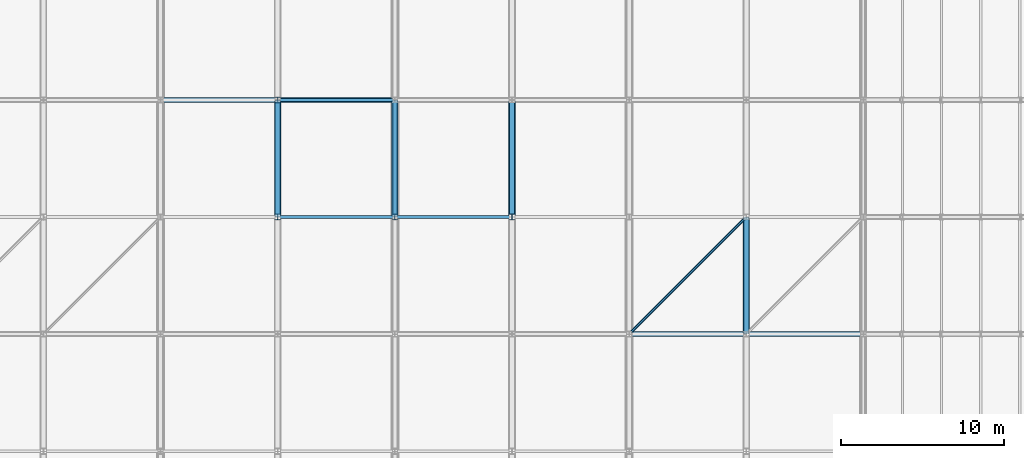
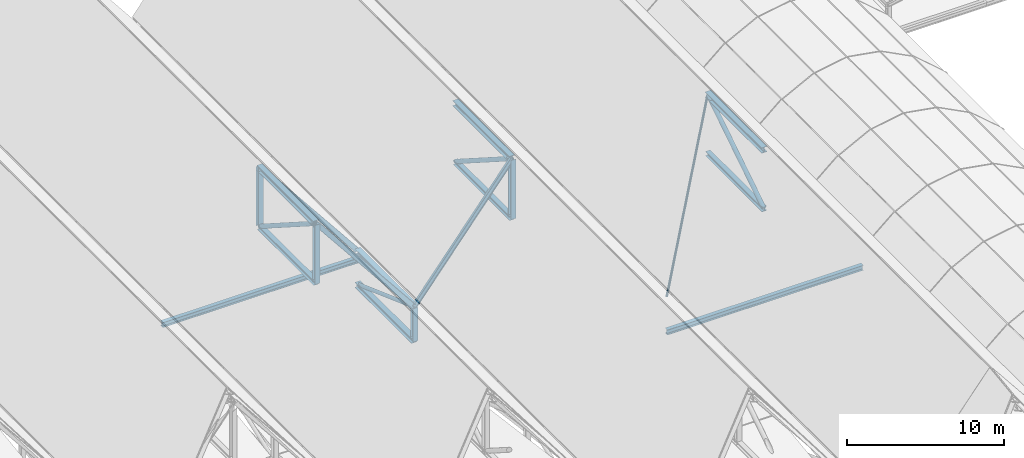
# One storey, part 19 of 60: 20 members, 2 beams.
"""IFC4 building model written with IfcOpenShell, lengths in metres."""

from ifc_helpers import new_model, si_unit, direction, frame, origin, origin_2d, place, context, subcontext, project, spatial, hollow_circle, i_section, extrude, material, material_profile, profile_set, type_object, element, save


model = new_model("IFC4")

# Units and contexts
model_context = context("Model", 3, precision=1e-05, world=origin(), true_north=direction((0.0, 1.0)))
body_context = subcontext(model_context, "Body", "Model", "MODEL_VIEW")
ifc_project = project(units=[si_unit("LENGTHUNIT", "METRE"), si_unit("AREAUNIT", "SQUARE_METRE"), si_unit("VOLUMEUNIT", "CUBIC_METRE"), si_unit("PLANEANGLEUNIT", "RADIAN"), si_unit("MASSUNIT", "GRAM", prefix="KILO")], contexts=[model_context])

# Site, building, storey
site_placement = place(None, origin())
site = spatial("IfcSite", under=ifc_project, at=site_placement, CompositionType="ELEMENT")
building_placement = place(site_placement, origin())
building = spatial("IfcBuilding", under=site, at=building_placement, Name="Vesperath Aquatics Centre", CompositionType="ELEMENT")
storey_placement = place(building_placement, frame((0.0, 0.0, 27.60009765625)))
storey = spatial("IfcBuildingStorey", under=building, at=storey_placement, Name="RF", CompositionType="ELEMENT", Elevation=27.60009765625)

# Beams
ifc_material_1 = material(Name="Steel Q355C", Category="steel")
ifc_material_profile_1 = material_profile(ifc_material_1, i_section(OverallWidth=0.300048828125, OverallDepth=0.389892578125, WebThickness=0.010009765625, FlangeThickness=0.01611328125, FilletRadius=0.02197265625, at=origin_2d()), Name="HM 390x300x10x16")
ifc_profile_set_1 = profile_set([ifc_material_profile_1], Name="Steel Q355C")
beam_type_1 = type_object("IfcBeamType", Name="BM-RB02", PredefinedType="BEAM", material=ifc_profile_set_1)
beam_1_placement = place(storey_placement, frame((86.39990234375, 43.199951171875, -12.400146484375), z_axis=(1.0, 0.0, 0.0), x_axis=(0.0, 1.0, 0.0)))
element("IfcBeam", 1, at=beam_1_placement, inside=storey, type_object=beam_type_1, Name="Natatorium Roof Deck Support Beam B11 G7-43.2", PredefinedType="BEAM", context=body_context, shape_type="SweptSolid", body=[
    extrude(i_section(OverallWidth=0.300048828125, OverallDepth=0.389892578125, WebThickness=0.010009765625, FlangeThickness=0.01611328125, FilletRadius=0.02197265625, at=origin_2d()), origin(), (0.0, 0.0, 1.0), 14.400146484375),
])
ifc_material_profile_2 = material_profile(ifc_material_1, i_section(OverallWidth=0.300048828125, OverallDepth=0.389892578125, WebThickness=0.010009765625, FlangeThickness=0.01611328125, FilletRadius=0.02197265625, at=origin_2d()), Name="HM 390x300x10x16")
ifc_profile_set_2 = profile_set([ifc_material_profile_2], Name="Steel Q355C")
beam_type_2 = type_object("IfcBeamType", Name="BM-RB03", PredefinedType="BEAM", material=ifc_profile_set_2)
beam_2_placement = place(storey_placement, frame((57.60009765625, 57.60009765625, -10.478759765625), z_axis=(1.0, 0.0, 0.0), x_axis=(0.0, 1.0, 0.0)))
element("IfcBeam", 2, at=beam_2_placement, inside=storey, type_object=beam_type_2, Name="Natatorium Roof Deck Support Beam B11 G5-57.6", PredefinedType="BEAM", context=body_context, shape_type="SweptSolid", body=[
    extrude(i_section(OverallWidth=0.300048828125, OverallDepth=0.389892578125, WebThickness=0.010009765625, FlangeThickness=0.01611328125, FilletRadius=0.02197265625, at=origin_2d()), origin(), (0.0, 0.0, 1.0), 14.39990234375),
])

# Members
ifc_material_2 = material(Name="Steel Q355D", Category="steel")
ifc_material_profile_3 = material_profile(ifc_material_2, i_section(OverallWidth=0.39990234375, OverallDepth=0.39990234375, WebThickness=0.012939453125, FlangeThickness=0.02099609375, FilletRadius=0.02197265625, at=origin_2d()), Name="HW 400x400x13x21")
ifc_profile_set_3 = profile_set([ifc_material_profile_3], Name="Steel Q355D")
member_type_1 = type_object("IfcMemberType", Name="MB-BC01", PredefinedType="CHORD", material=ifc_profile_set_3)
member_1_placement = place(storey_placement, frame((72.0, 50.39990234375, -12.400146484375), z_axis=(0.0, 1.0, 0.0), x_axis=(-1.0, 0.0, 0.0)))
element("IfcMember", 3, at=member_1_placement, inside=storey, type_object=member_type_1, Name="Natatorium ROOF TRUSS Bottom Chord BC01 G11-8", PredefinedType="CHORD", context=body_context, shape_type="SweptSolid", body=[
    extrude(i_section(OverallWidth=0.39990234375, OverallDepth=0.39990234375, WebThickness=0.012939453125, FlangeThickness=0.02099609375, FilletRadius=0.02197265625, at=origin_2d()), origin(), (0.0, 0.0, 1.0), 7.2001953125),
])
ifc_material_profile_4 = material_profile(ifc_material_2, i_section(OverallWidth=0.35009765625, OverallDepth=0.35009765625, WebThickness=0.011962890625, FlangeThickness=0.01904296875, FilletRadius=0.02001953125, at=origin_2d()), Name="HW 350x350x12x19")
ifc_profile_set_4 = profile_set([ifc_material_profile_4], Name="Steel Q355D")
member_type_2 = type_object("IfcMemberType", Name="MB-BC02", PredefinedType="CHORD", material=ifc_profile_set_4)
for number, where, z_axis, x_axis, name in (
    (4, (64.800048828125, 50.39990234375, -5.400146484375), (0.0, 1.0, 0.0), (-1.0, 0.0, 0.0), "Natatorium ROOF TRUSS Bottom Chord BC02 G10-8"),
    (5, (79.199951171875, 50.39990234375, -5.400146484375), (0.0, 1.0, 0.0), (-1.0, 0.0, 0.0), "Natatorium ROOF TRUSS Bottom Chord BC02 G12-8"),
):
    element("IfcMember", number, at=place(storey_placement, frame(where, z_axis=z_axis, x_axis=x_axis)), inside=storey, type_object=member_type_2, Name=name, PredefinedType="CHORD", context=body_context, shape_type="SweptSolid", body=[
        extrude(i_section(OverallWidth=0.35009765625, OverallDepth=0.35009765625, WebThickness=0.011962890625, FlangeThickness=0.01904296875, FilletRadius=0.02001953125, at=origin_2d()), origin(), (0.0, 0.0, 1.0), 7.2001953125),
    ])
member_2_placement = place(storey_placement, frame((93.60009765625, 43.199951171875, -5.400146484375), z_axis=(0.0, 1.0, 0.0), x_axis=(-1.0, 0.0, 0.0)))
element("IfcMember", 6, at=member_2_placement, inside=storey, type_object=member_type_2, Name="Natatorium ROOF TRUSS Bottom Chord BC02 G14-7", PredefinedType="CHORD", context=body_context, shape_type="SweptSolid", body=[
    extrude(i_section(OverallWidth=0.35009765625, OverallDepth=0.35009765625, WebThickness=0.011962890625, FlangeThickness=0.01904296875, FilletRadius=0.02001953125, at=origin_2d()), origin(), (0.0, 0.0, 1.0), 7.199951171875),
])
ifc_material_profile_5 = material_profile(ifc_material_2, hollow_circle(Radius=0.084228515625, WallThickness=0.008056640625, at=origin_2d()), Name="CHS 168.3x8")
ifc_profile_set_5 = profile_set([ifc_material_profile_5], Name="Steel Q355D")
member_type_3 = type_object("IfcMemberType", Name="MB-BR01", PredefinedType="BRACE", material=ifc_profile_set_5)
member_3_placement = place(storey_placement, frame((86.4423828125, 43.242431640625, -9.7470703125), z_axis=(0.529812942826, 0.529812942826, 0.662266178533), x_axis=(-0.707106781187, 0.707106781187, 0.0)))
element("IfcMember", 7, at=member_3_placement, inside=storey, type_object=member_type_3, Name="Natatorium Roof Brace BR01 B13-43", PredefinedType="BRACE", context=body_context, shape_type="SweptSolid", body=[
    extrude(hollow_circle(Radius=0.084228515625, WallThickness=0.008056640625, at=origin_2d()), origin(), (0.0, 0.0, 1.0), 13.4296875),
])
ifc_material_profile_6 = material_profile(ifc_material_1, i_section(OverallWidth=0.175048828125, OverallDepth=0.35009765625, WebThickness=0.007080078125, FlangeThickness=0.010986328125, FilletRadius=0.012939453125, at=origin_2d()), Name="HN 350x175x7x11")
ifc_profile_set_6 = profile_set([ifc_material_profile_6], Name="Steel Q355C")
member_type_4 = type_object("IfcMemberType", Name="MB-PR01", PredefinedType="PURLIN", material=ifc_profile_set_6)
for number, where, z_axis, x_axis, name in (
    (8, (64.800048828125, 50.39990234375, -0.800048828125), (0.624692464322, 0.0, -0.780870876022), (0.0, 1.0, 0.0), "Natatorium Roof Purlin PR01 B10-6"),
    (9, (64.800048828125, 57.60009765625, -0.800048828125), (0.624692464322, 0.0, -0.780870876022), (0.0, 1.0, 0.0), "Natatorium Roof Purlin PR01 B10-7"),
    (10, (72.0, 50.39990234375, -9.800048828125), (0.624692464322, 0.0, 0.780870876022), (0.0, 1.0, 0.0), "Natatorium Roof Purlin PR01 B11-6"),
):
    element("IfcMember", number, at=place(storey_placement, frame(where, z_axis=z_axis, x_axis=x_axis)), inside=storey, type_object=member_type_4, Name=name, PredefinedType="PURLIN", context=body_context, shape_type="SweptSolid", body=[
        extrude(i_section(OverallWidth=0.175048828125, OverallDepth=0.35009765625, WebThickness=0.007080078125, FlangeThickness=0.010986328125, FilletRadius=0.012939453125, at=origin_2d()), origin(), (0.0, 0.0, 1.0), 11.525634765625),
    ])
ifc_material_profile_7 = material_profile(ifc_material_2, i_section(OverallWidth=0.406982421875, OverallDepth=0.427978515625, WebThickness=0.02001953125, FlangeThickness=0.034912109375, FilletRadius=0.02197265625, at=origin_2d()), Name="HW 428x407x20x35")
ifc_profile_set_7 = profile_set([ifc_material_profile_7], Name="Steel Q355D")
member_type_5 = type_object("IfcMemberType", Name="MB-TC01", PredefinedType="CHORD", material=ifc_profile_set_7)
for number, where, z_axis, x_axis, name in (
    (11, (64.800048828125, 50.39990234375, -0.800048828125), (0.0, 1.0, 0.0), (-1.0, 0.0, 0.0), "Natatorium ROOF TRUSS Top Chord TC01 G10-8"),
    (12, (79.199951171875, 50.39990234375, -0.800048828125), (0.0, 1.0, 0.0), (-1.0, 0.0, 0.0), "Natatorium ROOF TRUSS Top Chord TC01 G12-8"),
):
    element("IfcMember", number, at=place(storey_placement, frame(where, z_axis=z_axis, x_axis=x_axis)), inside=storey, type_object=member_type_5, Name=name, PredefinedType="CHORD", context=body_context, shape_type="SweptSolid", body=[
        extrude(i_section(OverallWidth=0.406982421875, OverallDepth=0.427978515625, WebThickness=0.02001953125, FlangeThickness=0.034912109375, FilletRadius=0.02197265625, at=origin_2d()), origin(), (0.0, 0.0, 1.0), 7.2001953125),
    ])
member_4_placement = place(storey_placement, frame((93.60009765625, 43.199951171875, -0.800048828125), z_axis=(0.0, 1.0, 0.0), x_axis=(-1.0, 0.0, 0.0)))
element("IfcMember", 13, at=member_4_placement, inside=storey, type_object=member_type_5, Name="Natatorium ROOF TRUSS Top Chord TC01 G14-7", PredefinedType="CHORD", context=body_context, shape_type="SweptSolid", body=[
    extrude(i_section(OverallWidth=0.406982421875, OverallDepth=0.427978515625, WebThickness=0.02001953125, FlangeThickness=0.034912109375, FilletRadius=0.02197265625, at=origin_2d()), origin(), (0.0, 0.0, 1.0), 7.199951171875),
])
ifc_material_profile_8 = material_profile(ifc_material_2, i_section(OverallWidth=0.39990234375, OverallDepth=0.39990234375, WebThickness=0.012939453125, FlangeThickness=0.02099609375, FilletRadius=0.02197265625, at=origin_2d()), Name="HW 400x400x13x21")
ifc_profile_set_8 = profile_set([ifc_material_profile_8], Name="Steel Q355D")
member_type_6 = type_object("IfcMemberType", Name="MB-TC02", PredefinedType="CHORD", material=ifc_profile_set_8)
member_5_placement = place(storey_placement, frame((72.0, 50.39990234375, -9.800048828125), z_axis=(0.0, 1.0, 0.0), x_axis=(-1.0, 0.0, 0.0)))
element("IfcMember", 14, at=member_5_placement, inside=storey, type_object=member_type_6, Name="Natatorium ROOF TRUSS Top Chord TC02 G11-8", PredefinedType="CHORD", context=body_context, shape_type="SweptSolid", body=[
    extrude(i_section(OverallWidth=0.39990234375, OverallDepth=0.39990234375, WebThickness=0.012939453125, FlangeThickness=0.02099609375, FilletRadius=0.02197265625, at=origin_2d()), origin(), (0.0, 0.0, 1.0), 7.2001953125),
])
ifc_material_profile_9 = material_profile(ifc_material_2, hollow_circle(Radius=0.161865234375, WallThickness=0.013916015625, at=origin_2d()), Name="CHS 323.9x14")
ifc_profile_set_9 = profile_set([ifc_material_profile_9], Name="Steel Q355D")
member_type_7 = type_object("IfcMemberType", Name="MB-TD01", PredefinedType="BRACE", material=ifc_profile_set_9)
for number, where, z_axis, x_axis, name in (
    (15, (64.800048828125, 50.467529296875, -0.84326171875), (0.0, 0.842698461818, -0.538385830468), (-1.0, 0.0, 0.0), "Natatorium ROOF TRUSS Diagonal TD01 G10-8"),
    (16, (79.199951171875, 50.467529296875, -0.84326171875), (0.0, 0.842698461818, -0.538385830468), (-1.0, 0.0, 0.0), "Natatorium ROOF TRUSS Diagonal TD01 G12-8"),
):
    element("IfcMember", number, at=place(storey_placement, frame(where, z_axis=z_axis, x_axis=x_axis)), inside=storey, type_object=member_type_7, Name=name, PredefinedType="BRACE", context=body_context, shape_type="SweptSolid", body=[
        extrude(hollow_circle(Radius=0.161865234375, WallThickness=0.013916015625, at=origin_2d()), origin(), (0.0, 0.0, 1.0), 8.3837890625),
    ])
member_6_placement = place(storey_placement, frame((93.60009765625, 43.267333984375, -5.35693359375), z_axis=(0.0, 0.84270690245, 0.538372618698), x_axis=(-1.0, 0.0, 0.0)))
element("IfcMember", 17, at=member_6_placement, inside=storey, type_object=member_type_7, Name="Natatorium ROOF TRUSS Diagonal TD01 G14-7", PredefinedType="BRACE", context=body_context, shape_type="SweptSolid", body=[
    extrude(hollow_circle(Radius=0.161865234375, WallThickness=0.013916015625, at=origin_2d()), origin(), (0.0, 0.0, 1.0), 8.384033203125),
])
ifc_material_profile_10 = material_profile(ifc_material_2, hollow_circle(Radius=0.136474609375, WallThickness=0.011962890625, at=origin_2d()), Name="CHS 273.0x12")
ifc_profile_set_10 = profile_set([ifc_material_profile_10], Name="Steel Q355D")
member_type_8 = type_object("IfcMemberType", Name="MB-TD02", PredefinedType="BRACE", material=ifc_profile_set_10)
member_7_placement = place(storey_placement, frame((72.0, 50.475341796875, -9.8271484375), z_axis=(0.0, 0.940540602568, -0.339681284324), x_axis=(-1.0, 0.0, 0.0)))
element("IfcMember", 18, at=member_7_placement, inside=storey, type_object=member_type_8, Name="Natatorium ROOF TRUSS Diagonal TD02 G11-8", PredefinedType="BRACE", context=body_context, shape_type="SweptSolid", body=[
    extrude(hollow_circle(Radius=0.136474609375, WallThickness=0.011962890625, at=origin_2d()), origin(), (0.0, 0.0, 1.0), 7.494873046875),
])
ifc_material_profile_11 = material_profile(ifc_material_2, i_section(OverallWidth=0.35009765625, OverallDepth=0.35009765625, WebThickness=0.011962890625, FlangeThickness=0.01904296875, FilletRadius=0.02001953125, at=origin_2d()), Name="HW 350x350x12x19")
ifc_profile_set_11 = profile_set([ifc_material_profile_11], Name="Steel Q355D")
member_type_9 = type_object("IfcMemberType", Name="MB-TP01", PredefinedType="POST", material=ifc_profile_set_11)
for number, where, z_axis, x_axis, name in (
    (19, (64.800048828125, 50.39990234375, -5.400146484375), (0.0, 0.0, 1.0), (1.0, 0.0, 0.0), "Natatorium ROOF TRUSS Post TP01 G10-8"),
    (20, (64.800048828125, 57.60009765625, -5.400146484375), (0.0, 0.0, 1.0), (1.0, 0.0, 0.0), "Natatorium ROOF TRUSS Post TP01 G10-9"),
):
    element("IfcMember", number, at=place(storey_placement, frame(where, z_axis=z_axis, x_axis=x_axis)), inside=storey, type_object=member_type_9, Name=name, PredefinedType="POST", context=body_context, shape_type="SweptSolid", body=[
        extrude(i_section(OverallWidth=0.35009765625, OverallDepth=0.35009765625, WebThickness=0.011962890625, FlangeThickness=0.01904296875, FilletRadius=0.02001953125, at=origin_2d()), origin(), (0.0, 0.0, 1.0), 4.60009765625),
    ])
member_8_placement = place(storey_placement, frame((72.0, 50.39990234375, -12.400146484375), z_axis=(0.0, 0.0, 1.0), x_axis=(1.0, 0.0, 0.0)))
element("IfcMember", 21, at=member_8_placement, inside=storey, type_object=member_type_9, Name="Natatorium ROOF TRUSS Post TP01 G11-8", PredefinedType="POST", context=body_context, shape_type="SweptSolid", body=[
    extrude(i_section(OverallWidth=0.35009765625, OverallDepth=0.35009765625, WebThickness=0.011962890625, FlangeThickness=0.01904296875, FilletRadius=0.02001953125, at=origin_2d()), origin(), (0.0, 0.0, 1.0), 2.60009765625),
])
member_9_placement = place(storey_placement, frame((79.199951171875, 50.39990234375, -5.400146484375), z_axis=(0.0, 0.0, 1.0), x_axis=(1.0, 0.0, 0.0)))
element("IfcMember", 22, at=member_9_placement, inside=storey, type_object=member_type_9, Name="Natatorium ROOF TRUSS Post TP01 G12-8", PredefinedType="POST", context=body_context, shape_type="SweptSolid", body=[
    extrude(i_section(OverallWidth=0.35009765625, OverallDepth=0.35009765625, WebThickness=0.011962890625, FlangeThickness=0.01904296875, FilletRadius=0.02001953125, at=origin_2d()), origin(), (0.0, 0.0, 1.0), 4.60009765625),
])

save(model, "model.ifc")
